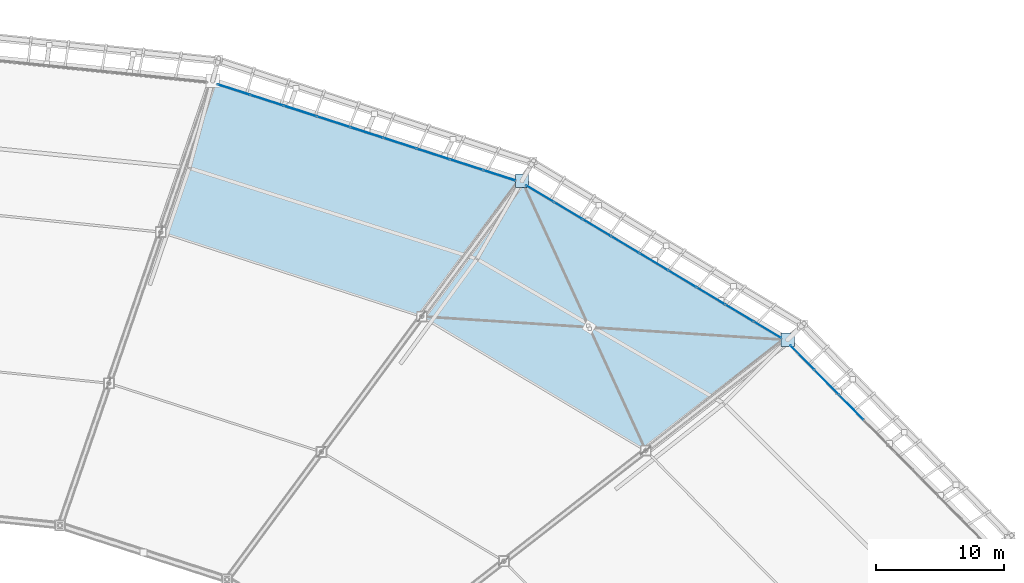
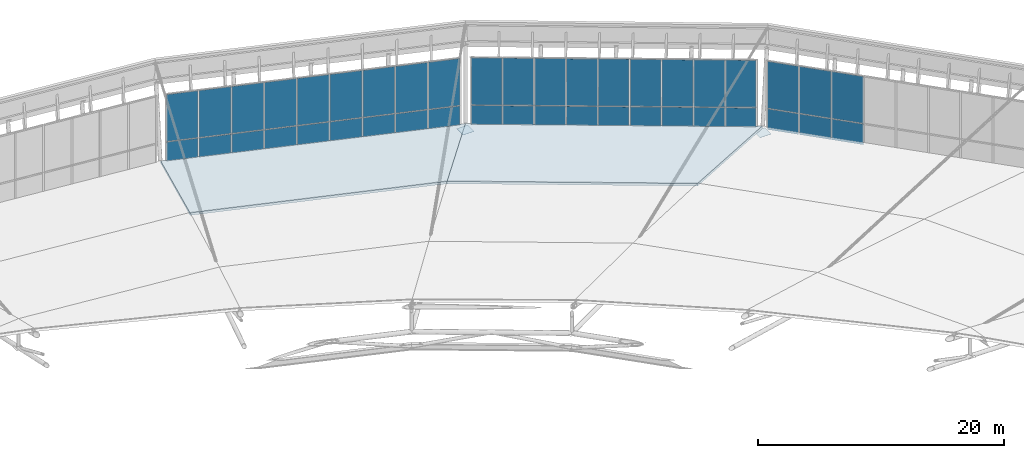
# One storey, part 99 of 115: 44 plates, 2 slabs, 4 elements without a shape of their own.
"""IFC4 building model written with IfcOpenShell, lengths in metres."""

from ifc_helpers import new_model, si_unit, direction, frame, origin, origin_2d, place, context, subcontext, project, spatial, polyline, rectangle, outline, extrude, material, layer, layer_set, type_object, element, aggregate, save


model = new_model("IFC4")

# Units and contexts
model_context = context("Model", 3, precision=1e-05, world=origin(), true_north=direction((0.0, 1.0)))
body_context = subcontext(model_context, "Body", "Model", "MODEL_VIEW")
ifc_project = project(units=[si_unit("LENGTHUNIT", "METRE"), si_unit("AREAUNIT", "SQUARE_METRE"), si_unit("VOLUMEUNIT", "CUBIC_METRE"), si_unit("PLANEANGLEUNIT", "RADIAN"), si_unit("MASSUNIT", "GRAM", prefix="KILO")], contexts=[model_context])

# Site, building, storey
site_placement = place(None, origin())
site = spatial("IfcSite", under=ifc_project, at=site_placement, CompositionType="ELEMENT")
building_placement = place(site_placement, origin())
building = spatial("IfcBuilding", under=site, at=building_placement, Name="Zlatoyarsky Gate Stadium", CompositionType="ELEMENT")
storey_placement = place(building_placement, frame((0.0, 0.0, 31.800048828125)))
storey = spatial("IfcBuildingStorey", under=building, at=storey_placement, Name="RF", CompositionType="ELEMENT", Elevation=31.800048828125)

# Roof, slabs
ifc_material_1 = material(Name="Standing-seam aluminium-zinc roofing with mineral wool insulation", Category="aluminium")
ifc_layer_1 = layer(ifc_material_1, 0.080078125)
ifc_layer_set_1 = layer_set([ifc_layer_1], Name="Standing-seam aluminium-zinc roofing with mineral wool insulation")
roof_type = type_object("IfcRoofType", Name="STADIUM BARREL VAULT ROOF ASSEMBLY", PredefinedType="BARREL_ROOF", material=ifc_layer_set_1)
roof_placement = place(storey_placement, origin())
roof = element("IfcRoof", 1, at=roof_placement, inside=storey, type_object=roof_type, Name="Stadium barrel arch roof sector 2", PredefinedType="BARREL_ROOF")
ifc_material_2 = material(Name="Concrete C40/50", Category="concrete")
ifc_layer_2 = layer(ifc_material_2, 0.199951171875)
ifc_layer_set_2 = layer_set([ifc_layer_2], Name="Concrete C40/50")
slab_type = type_object("IfcSlabType", Name="COMPOSITE STADIUM ROOF DECK SLAB 200", PredefinedType="ROOF", material=ifc_layer_set_2)
slab_1_placement = place(storey_placement, frame((181.730224609375, 135.173828125, 0.199951171875), z_axis=(0.129152879329, 0.215770189277, 0.967865052154), x_axis=(-0.8580340905, 0.51359273704, -4.42967e-07)))
slab_1 = element("IfcSlab", 2, at=slab_1_placement, type_object=slab_type, Name="Stadium arched roof deck sector 03 bay 1", PredefinedType="ROOF", context=body_context, shape_type="SweptSolid", body=[
    extrude(outline(polyline([(0.0, 0.0), (24.1439241753555, 0.0), (25.42773523422691, 13.520147369410285), (5.059922171680651, 13.520068961575207), (0.0, 0.0)])), origin(), (0.0, 0.0, -1.0), 0.199951171875),
])
slab_2_placement = place(storey_placement, frame((161.013916015625, 147.573974609375, 0.199951171875), z_axis=(0.080926633941, 0.25045970369, 0.964738729785), x_axis=(-0.951561589275, 0.307458195234, 8.16732e-07)))
slab_2 = element("IfcSlab", 3, at=slab_2_placement, type_object=slab_type, Name="Stadium arched roof deck sector 04 bay 1", PredefinedType="ROOF", context=body_context, shape_type="SweptSolid", body=[
    extrude(outline(polyline([(0.0, 0.0), (25.352803638085895, 0.0), (25.581554553527695, 12.9170218581198), (4.193966523606391, 12.91716689231748), (0.0, 0.0)])), origin(), (0.0, 0.0, -1.0), 0.199951171875),
])
aggregate(roof, [slab_1, slab_2])

# Plates
ifc_material_3 = material(Name="Steel S355", Category="steel")
ifc_layer_3 = layer(ifc_material_3, 0.02392578125)
ifc_layer_set_3 = layer_set([ifc_layer_3], Name="Steel S355")
plate_type_1 = type_object("IfcPlateType", Name="STEEL COMPRESSION RING NODE CAP SHEET 24", PredefinedType="SHEET", material=ifc_layer_set_3)
for number, where, z_axis, x_axis, name in (
    (4, (181.730224609375, 135.173828125, -0.4619140625), (0.0, 0.0, 1.0), (1.0, 0.0, 0.0), "Node closure plate ND-CR1 NCAP-CR-03"),
    (5, (161.013916015625, 147.573974609375, -0.4619140625), (0.0, 0.0, 1.0), (1.0, 0.0, 0.0), "Node closure plate ND-CR1 NCAP-CR-04"),
):
    element("IfcPlate", number, at=place(storey_placement, frame(where, z_axis=z_axis, x_axis=x_axis)), inside=storey, type_object=plate_type_1, Name=name, PredefinedType="SHEET", context=body_context, shape_type="SweptSolid", body=[
        extrude(rectangle(XDim=1.050048828125, YDim=1.050048828125, at=origin_2d()), origin(), (0.0, 0.0, 1.0), 0.02392578125),
    ])

# Curtain wall, plates
ifc_material_4 = material(Name="Thermally broken anodised aluminium curtain wall", Category="aluminium")
curtain_wall_type = type_object("IfcCurtainWallType", Name="UNITISED SKYBOX RING GLAZING L05", PredefinedType="USERDEFINED", material=ifc_material_4)
curtain_wall_1_placement = place(storey_placement, origin())
curtain_wall_1 = element("IfcCurtainWall", 6, at=curtain_wall_1_placement, inside=storey, type_object=curtain_wall_type, Name="Curtain wall CW-RF-02", ObjectType="UNITISED GLAZING", PredefinedType="USERDEFINED")
ifc_material_5 = material(Name="Triple-glazed argon low-e architectural glass", Category="glass")
ifc_layer_4 = layer(ifc_material_5, 0.0380859375)
ifc_layer_set_4 = layer_set([ifc_layer_4], Name="Triple-glazed argon low-e architectural glass")
plate_type_2 = type_object("IfcPlateType", Name="TRIPLE GLAZED LOW E CURTAIN PANEL 38", PredefinedType="CURTAIN_PANEL", material=ifc_layer_set_4)
plate_1_placement = place(storey_placement, frame((186.697021484375, 129.927001953125, 0.06494140625), z_axis=(0.0, 0.0, 1.0), x_axis=(-0.701401848456, 0.712766053473, 0.0)))
plate_1 = element("IfcPlate", 7, at=plate_1_placement, type_object=plate_type_2, Name="CW-UG5 panel 6.1", PredefinedType="CURTAIN_PANEL", context=body_context, shape_type="SweptSolid", body=[
    extrude(rectangle(XDim=2.6640625, YDim=0.0380859375, at=origin_2d()), origin(), (0.0, 0.0, 1.0), 2.052490234375),
])
plate_2_placement = place(storey_placement, frame((186.697021484375, 129.927001953125, 2.1826171875), z_axis=(0.0, 0.0, 1.0), x_axis=(-0.701401848456, 0.712766053473, 0.0)))
plate_2 = element("IfcPlate", 8, at=plate_2_placement, type_object=plate_type_2, Name="CW-UG5 panel 6.2", PredefinedType="CURTAIN_PANEL", context=body_context, shape_type="SweptSolid", body=[
    extrude(rectangle(XDim=2.6640625, YDim=0.0380859375, at=origin_2d()), origin(), (0.0, 0.0, 1.0), 4.652587890625),
])
plate_3_placement = place(storey_placement, frame((184.782958984375, 131.8720703125, 0.06494140625), z_axis=(0.0, 0.0, 1.0), x_axis=(-0.701401848456, 0.712766053473, 0.0)))
plate_3 = element("IfcPlate", 9, at=plate_3_placement, type_object=plate_type_2, Name="CW-UG5 panel 7.1", PredefinedType="CURTAIN_PANEL", context=body_context, shape_type="SweptSolid", body=[
    extrude(rectangle(XDim=2.6640625, YDim=0.0380859375, at=origin_2d()), origin(), (0.0, 0.0, 1.0), 2.052490234375),
])
plate_4_placement = place(storey_placement, frame((184.782958984375, 131.8720703125, 2.1826171875), z_axis=(0.0, 0.0, 1.0), x_axis=(-0.701401848456, 0.712766053473, 0.0)))
plate_4 = element("IfcPlate", 10, at=plate_4_placement, type_object=plate_type_2, Name="CW-UG5 panel 7.2", PredefinedType="CURTAIN_PANEL", context=body_context, shape_type="SweptSolid", body=[
    extrude(rectangle(XDim=2.6640625, YDim=0.0380859375, at=origin_2d()), origin(), (0.0, 0.0, 1.0), 4.652587890625),
])
plate_5_placement = place(storey_placement, frame((182.880126953125, 133.8056640625, 0.06494140625), z_axis=(0.0, 0.0, 1.0), x_axis=(-0.701401848456, 0.712766053473, 0.0)))
plate_5 = element("IfcPlate", 11, at=plate_5_placement, type_object=plate_type_2, Name="CW-UG5 panel 8.1", PredefinedType="CURTAIN_PANEL", context=body_context, shape_type="SweptSolid", body=[
    extrude(rectangle(XDim=2.63134765625, YDim=0.0380859375, at=origin_2d()), origin(), (0.0, 0.0, 1.0), 2.052490234375),
])
plate_6_placement = place(storey_placement, frame((182.880126953125, 133.8056640625, 2.1826171875), z_axis=(0.0, 0.0, 1.0), x_axis=(-0.701401848456, 0.712766053473, 0.0)))
plate_6 = element("IfcPlate", 12, at=plate_6_placement, type_object=plate_type_2, Name="CW-UG5 panel 8.2", PredefinedType="CURTAIN_PANEL", context=body_context, shape_type="SweptSolid", body=[
    extrude(rectangle(XDim=2.63134765625, YDim=0.0380859375, at=origin_2d()), origin(), (0.0, 0.0, 1.0), 4.652587890625),
])
aggregate(curtain_wall_1, [plate_1, plate_2, plate_3, plate_4, plate_5, plate_6])

curtain_wall_2_placement = place(storey_placement, origin())
curtain_wall_2 = element("IfcCurtainWall", 13, at=curtain_wall_2_placement, inside=storey, type_object=curtain_wall_type, Name="Curtain wall CW-RF-03", ObjectType="UNITISED GLAZING", PredefinedType="USERDEFINED")
plate_7_placement = place(storey_placement, frame((180.162841796875, 135.953369140625, 0.06494140625), z_axis=(0.0, 0.0, 1.0), x_axis=(-0.858127891517, 0.513435995817, 0.0)))
plate_7 = element("IfcPlate", 14, at=plate_7_placement, type_object=plate_type_2, Name="CW-UG5 panel 1.1", PredefinedType="CURTAIN_PANEL", context=body_context, shape_type="SweptSolid", body=[
    extrude(rectangle(XDim=2.4921875, YDim=0.0380859375, at=origin_2d()), origin(), (0.0, 0.0, 1.0), 2.052490234375),
])
plate_8_placement = place(storey_placement, frame((180.162841796875, 135.953369140625, 2.1826171875), z_axis=(0.0, 0.0, 1.0), x_axis=(-0.858127891517, 0.513435995817, 0.0)))
plate_8 = element("IfcPlate", 15, at=plate_8_placement, type_object=plate_type_2, Name="CW-UG5 panel 1.2", PredefinedType="CURTAIN_PANEL", context=body_context, shape_type="SweptSolid", body=[
    extrude(rectangle(XDim=2.4921875, YDim=0.0380859375, at=origin_2d()), origin(), (0.0, 0.0, 1.0), 4.652587890625),
])
plate_9_placement = place(storey_placement, frame((177.954345703125, 137.27490234375, 0.06494140625), z_axis=(0.0, 0.0, 1.0), x_axis=(-0.858127891517, 0.513435995817, 0.0)))
plate_9 = element("IfcPlate", 16, at=plate_9_placement, type_object=plate_type_2, Name="CW-UG5 panel 2.1", PredefinedType="CURTAIN_PANEL", context=body_context, shape_type="SweptSolid", body=[
    extrude(rectangle(XDim=2.524658203125, YDim=0.0380859375, at=origin_2d()), origin(), (0.0, 0.0, 1.0), 2.052490234375),
])
plate_10_placement = place(storey_placement, frame((177.954345703125, 137.27490234375, 2.1826171875), z_axis=(0.0, 0.0, 1.0), x_axis=(-0.858127891517, 0.513435995817, 0.0)))
plate_10 = element("IfcPlate", 17, at=plate_10_placement, type_object=plate_type_2, Name="CW-UG5 panel 2.2", PredefinedType="CURTAIN_PANEL", context=body_context, shape_type="SweptSolid", body=[
    extrude(rectangle(XDim=2.524658203125, YDim=0.0380859375, at=origin_2d()), origin(), (0.0, 0.0, 1.0), 4.652587890625),
])
plate_11_placement = place(storey_placement, frame((175.732177734375, 138.6044921875, 0.06494140625), z_axis=(0.0, 0.0, 1.0), x_axis=(-0.858127891517, 0.513435995817, 0.0)))
plate_11 = element("IfcPlate", 18, at=plate_11_placement, type_object=plate_type_2, Name="CW-UG5 panel 3.1", PredefinedType="CURTAIN_PANEL", context=body_context, shape_type="SweptSolid", body=[
    extrude(rectangle(XDim=2.524658203125, YDim=0.0380859375, at=origin_2d()), origin(), (0.0, 0.0, 1.0), 2.052490234375),
])
plate_12_placement = place(storey_placement, frame((175.732177734375, 138.6044921875, 2.1826171875), z_axis=(0.0, 0.0, 1.0), x_axis=(-0.858127891517, 0.513435995817, 0.0)))
plate_12 = element("IfcPlate", 19, at=plate_12_placement, type_object=plate_type_2, Name="CW-UG5 panel 3.2", PredefinedType="CURTAIN_PANEL", context=body_context, shape_type="SweptSolid", body=[
    extrude(rectangle(XDim=2.524658203125, YDim=0.0380859375, at=origin_2d()), origin(), (0.0, 0.0, 1.0), 4.652587890625),
])
plate_13_placement = place(storey_placement, frame((173.509765625, 139.93408203125, 0.06494140625), z_axis=(0.0, 0.0, 1.0), x_axis=(-0.858127891517, 0.513435995817, 0.0)))
plate_13 = element("IfcPlate", 20, at=plate_13_placement, type_object=plate_type_2, Name="CW-UG5 panel 4.1", PredefinedType="CURTAIN_PANEL", context=body_context, shape_type="SweptSolid", body=[
    extrude(rectangle(XDim=2.524658203125, YDim=0.0380859375, at=origin_2d()), origin(), (0.0, 0.0, 1.0), 2.052490234375),
])
plate_14_placement = place(storey_placement, frame((173.509765625, 139.93408203125, 2.1826171875), z_axis=(0.0, 0.0, 1.0), x_axis=(-0.858127891517, 0.513435995817, 0.0)))
plate_14 = element("IfcPlate", 21, at=plate_14_placement, type_object=plate_type_2, Name="CW-UG5 panel 4.2", PredefinedType="CURTAIN_PANEL", context=body_context, shape_type="SweptSolid", body=[
    extrude(rectangle(XDim=2.524658203125, YDim=0.0380859375, at=origin_2d()), origin(), (0.0, 0.0, 1.0), 4.652587890625),
])
plate_15_placement = place(storey_placement, frame((171.28759765625, 141.263671875, 0.06494140625), z_axis=(0.0, 0.0, 1.0), x_axis=(-0.858127891517, 0.513435995817, 0.0)))
plate_15 = element("IfcPlate", 22, at=plate_15_placement, type_object=plate_type_2, Name="CW-UG5 panel 5.1", PredefinedType="CURTAIN_PANEL", context=body_context, shape_type="SweptSolid", body=[
    extrude(rectangle(XDim=2.524658203125, YDim=0.0380859375, at=origin_2d()), origin(), (0.0, 0.0, 1.0), 2.052490234375),
])
plate_16_placement = place(storey_placement, frame((171.28759765625, 141.263671875, 2.1826171875), z_axis=(0.0, 0.0, 1.0), x_axis=(-0.858127891517, 0.513435995817, 0.0)))
plate_16 = element("IfcPlate", 23, at=plate_16_placement, type_object=plate_type_2, Name="CW-UG5 panel 5.2", PredefinedType="CURTAIN_PANEL", context=body_context, shape_type="SweptSolid", body=[
    extrude(rectangle(XDim=2.524658203125, YDim=0.0380859375, at=origin_2d()), origin(), (0.0, 0.0, 1.0), 4.652587890625),
])
plate_17_placement = place(storey_placement, frame((169.065185546875, 142.593505859375, 0.06494140625), z_axis=(0.0, 0.0, 1.0), x_axis=(-0.858127891517, 0.513435995817, 0.0)))
plate_17 = element("IfcPlate", 24, at=plate_17_placement, type_object=plate_type_2, Name="CW-UG5 panel 6.1", PredefinedType="CURTAIN_PANEL", context=body_context, shape_type="SweptSolid", body=[
    extrude(rectangle(XDim=2.524658203125, YDim=0.0380859375, at=origin_2d()), origin(), (0.0, 0.0, 1.0), 2.052490234375),
])
plate_18_placement = place(storey_placement, frame((169.065185546875, 142.593505859375, 2.1826171875), z_axis=(0.0, 0.0, 1.0), x_axis=(-0.858127891517, 0.513435995817, 0.0)))
plate_18 = element("IfcPlate", 25, at=plate_18_placement, type_object=plate_type_2, Name="CW-UG5 panel 6.2", PredefinedType="CURTAIN_PANEL", context=body_context, shape_type="SweptSolid", body=[
    extrude(rectangle(XDim=2.524658203125, YDim=0.0380859375, at=origin_2d()), origin(), (0.0, 0.0, 1.0), 4.652587890625),
])
plate_19_placement = place(storey_placement, frame((166.8427734375, 143.923095703125, 0.06494140625), z_axis=(0.0, 0.0, 1.0), x_axis=(-0.858127891517, 0.513435995817, 0.0)))
plate_19 = element("IfcPlate", 26, at=plate_19_placement, type_object=plate_type_2, Name="CW-UG5 panel 7.1", PredefinedType="CURTAIN_PANEL", context=body_context, shape_type="SweptSolid", body=[
    extrude(rectangle(XDim=2.524658203125, YDim=0.0380859375, at=origin_2d()), origin(), (0.0, 0.0, 1.0), 2.052490234375),
])
plate_20_placement = place(storey_placement, frame((166.8427734375, 143.923095703125, 2.1826171875), z_axis=(0.0, 0.0, 1.0), x_axis=(-0.858127891517, 0.513435995817, 0.0)))
plate_20 = element("IfcPlate", 27, at=plate_20_placement, type_object=plate_type_2, Name="CW-UG5 panel 7.2", PredefinedType="CURTAIN_PANEL", context=body_context, shape_type="SweptSolid", body=[
    extrude(rectangle(XDim=2.524658203125, YDim=0.0380859375, at=origin_2d()), origin(), (0.0, 0.0, 1.0), 4.652587890625),
])
plate_21_placement = place(storey_placement, frame((164.62060546875, 145.252685546875, 0.06494140625), z_axis=(0.0, 0.0, 1.0), x_axis=(-0.858127891517, 0.513435995817, 0.0)))
plate_21 = element("IfcPlate", 28, at=plate_21_placement, type_object=plate_type_2, Name="CW-UG5 panel 8.1", PredefinedType="CURTAIN_PANEL", context=body_context, shape_type="SweptSolid", body=[
    extrude(rectangle(XDim=2.524658203125, YDim=0.0380859375, at=origin_2d()), origin(), (0.0, 0.0, 1.0), 2.052490234375),
])
plate_22_placement = place(storey_placement, frame((164.62060546875, 145.252685546875, 2.1826171875), z_axis=(0.0, 0.0, 1.0), x_axis=(-0.858127891517, 0.513435995817, 0.0)))
plate_22 = element("IfcPlate", 29, at=plate_22_placement, type_object=plate_type_2, Name="CW-UG5 panel 8.2", PredefinedType="CURTAIN_PANEL", context=body_context, shape_type="SweptSolid", body=[
    extrude(rectangle(XDim=2.524658203125, YDim=0.0380859375, at=origin_2d()), origin(), (0.0, 0.0, 1.0), 4.652587890625),
])
plate_23_placement = place(storey_placement, frame((162.412109375, 146.573974609375, 0.06494140625), z_axis=(0.0, 0.0, 1.0), x_axis=(-0.858127891517, 0.513435995817, 0.0)))
plate_23 = element("IfcPlate", 30, at=plate_23_placement, type_object=plate_type_2, Name="CW-UG5 panel 9.1", PredefinedType="CURTAIN_PANEL", context=body_context, shape_type="SweptSolid", body=[
    extrude(rectangle(XDim=2.4921875, YDim=0.0380859375, at=origin_2d()), origin(), (0.0, 0.0, 1.0), 2.052490234375),
])
plate_24_placement = place(storey_placement, frame((162.412109375, 146.573974609375, 2.1826171875), z_axis=(0.0, 0.0, 1.0), x_axis=(-0.858127891517, 0.513435995817, 0.0)))
plate_24 = element("IfcPlate", 31, at=plate_24_placement, type_object=plate_type_2, Name="CW-UG5 panel 9.2", PredefinedType="CURTAIN_PANEL", context=body_context, shape_type="SweptSolid", body=[
    extrude(rectangle(XDim=2.4921875, YDim=0.0380859375, at=origin_2d()), origin(), (0.0, 0.0, 1.0), 4.652587890625),
])
aggregate(curtain_wall_2, [plate_7, plate_8, plate_9, plate_10, plate_11, plate_12, plate_13, plate_14, plate_15, plate_16, plate_17, plate_18, plate_19, plate_20, plate_21, plate_22, plate_23, plate_24])

curtain_wall_3_placement = place(storey_placement, origin())
curtain_wall_3 = element("IfcCurtainWall", 32, at=curtain_wall_3_placement, inside=storey, type_object=curtain_wall_type, Name="Curtain wall CW-RF-04", ObjectType="UNITISED GLAZING", PredefinedType="USERDEFINED")
plate_25_placement = place(storey_placement, frame((159.251708984375, 147.9990234375, 0.06494140625), z_axis=(0.0, 0.0, 1.0), x_axis=(-0.951595836439, 0.307352182475, 0.0)))
plate_25 = element("IfcPlate", 33, at=plate_25_placement, type_object=plate_type_2, Name="CW-UG5 panel 1.1", PredefinedType="CURTAIN_PANEL", context=body_context, shape_type="SweptSolid", body=[
    extrude(rectangle(XDim=2.62646484375, YDim=0.0380859375, at=origin_2d()), origin(), (0.0, 0.0, 1.0), 2.052490234375),
])
plate_26_placement = place(storey_placement, frame((159.251708984375, 147.9990234375, 2.1826171875), z_axis=(0.0, 0.0, 1.0), x_axis=(-0.951595836439, 0.307352182475, 0.0)))
plate_26 = element("IfcPlate", 34, at=plate_26_placement, type_object=plate_type_2, Name="CW-UG5 panel 1.2", PredefinedType="CURTAIN_PANEL", context=body_context, shape_type="SweptSolid", body=[
    extrude(rectangle(XDim=2.62646484375, YDim=0.0380859375, at=origin_2d()), origin(), (0.0, 0.0, 1.0), 4.652587890625),
])
plate_27_placement = place(storey_placement, frame((156.6748046875, 148.831298828125, 0.06494140625), z_axis=(0.0, 0.0, 1.0), x_axis=(-0.951595836439, 0.307352182475, 0.0)))
plate_27 = element("IfcPlate", 35, at=plate_27_placement, type_object=plate_type_2, Name="CW-UG5 panel 2.1", PredefinedType="CURTAIN_PANEL", context=body_context, shape_type="SweptSolid", body=[
    extrude(rectangle(XDim=2.658935546875, YDim=0.0380859375, at=origin_2d()), origin(), (0.0, 0.0, 1.0), 2.052490234375),
])
plate_28_placement = place(storey_placement, frame((156.6748046875, 148.831298828125, 2.1826171875), z_axis=(0.0, 0.0, 1.0), x_axis=(-0.951595836439, 0.307352182475, 0.0)))
plate_28 = element("IfcPlate", 36, at=plate_28_placement, type_object=plate_type_2, Name="CW-UG5 panel 2.2", PredefinedType="CURTAIN_PANEL", context=body_context, shape_type="SweptSolid", body=[
    extrude(rectangle(XDim=2.658935546875, YDim=0.0380859375, at=origin_2d()), origin(), (0.0, 0.0, 1.0), 4.652587890625),
])
plate_29_placement = place(storey_placement, frame((154.082763671875, 149.668701171875, 0.06494140625), z_axis=(0.0, 0.0, 1.0), x_axis=(-0.951595836439, 0.307352182475, 0.0)))
plate_29 = element("IfcPlate", 37, at=plate_29_placement, type_object=plate_type_2, Name="CW-UG5 panel 3.1", PredefinedType="CURTAIN_PANEL", context=body_context, shape_type="SweptSolid", body=[
    extrude(rectangle(XDim=2.658935546875, YDim=0.0380859375, at=origin_2d()), origin(), (0.0, 0.0, 1.0), 2.052490234375),
])
plate_30_placement = place(storey_placement, frame((154.082763671875, 149.668701171875, 2.1826171875), z_axis=(0.0, 0.0, 1.0), x_axis=(-0.951595836439, 0.307352182475, 0.0)))
plate_30 = element("IfcPlate", 38, at=plate_30_placement, type_object=plate_type_2, Name="CW-UG5 panel 3.2", PredefinedType="CURTAIN_PANEL", context=body_context, shape_type="SweptSolid", body=[
    extrude(rectangle(XDim=2.658935546875, YDim=0.0380859375, at=origin_2d()), origin(), (0.0, 0.0, 1.0), 4.652587890625),
])
plate_31_placement = place(storey_placement, frame((151.490478515625, 150.505859375, 0.06494140625), z_axis=(0.0, 0.0, 1.0), x_axis=(-0.951595836439, 0.307352182475, 0.0)))
plate_31 = element("IfcPlate", 39, at=plate_31_placement, type_object=plate_type_2, Name="CW-UG5 panel 4.1", PredefinedType="CURTAIN_PANEL", context=body_context, shape_type="SweptSolid", body=[
    extrude(rectangle(XDim=2.658935546875, YDim=0.0380859375, at=origin_2d()), origin(), (0.0, 0.0, 1.0), 2.052490234375),
])
plate_32_placement = place(storey_placement, frame((151.490478515625, 150.505859375, 2.1826171875), z_axis=(0.0, 0.0, 1.0), x_axis=(-0.951595836439, 0.307352182475, 0.0)))
plate_32 = element("IfcPlate", 40, at=plate_32_placement, type_object=plate_type_2, Name="CW-UG5 panel 4.2", PredefinedType="CURTAIN_PANEL", context=body_context, shape_type="SweptSolid", body=[
    extrude(rectangle(XDim=2.658935546875, YDim=0.0380859375, at=origin_2d()), origin(), (0.0, 0.0, 1.0), 4.652587890625),
])
plate_33_placement = place(storey_placement, frame((148.898193359375, 151.343017578125, 0.06494140625), z_axis=(0.0, 0.0, 1.0), x_axis=(-0.951595836439, 0.307352182475, 0.0)))
plate_33 = element("IfcPlate", 41, at=plate_33_placement, type_object=plate_type_2, Name="CW-UG5 panel 5.1", PredefinedType="CURTAIN_PANEL", context=body_context, shape_type="SweptSolid", body=[
    extrude(rectangle(XDim=2.658935546875, YDim=0.0380859375, at=origin_2d()), origin(), (0.0, 0.0, 1.0), 2.052490234375),
])
plate_34_placement = place(storey_placement, frame((148.898193359375, 151.343017578125, 2.1826171875), z_axis=(0.0, 0.0, 1.0), x_axis=(-0.951595836439, 0.307352182475, 0.0)))
plate_34 = element("IfcPlate", 42, at=plate_34_placement, type_object=plate_type_2, Name="CW-UG5 panel 5.2", PredefinedType="CURTAIN_PANEL", context=body_context, shape_type="SweptSolid", body=[
    extrude(rectangle(XDim=2.658935546875, YDim=0.0380859375, at=origin_2d()), origin(), (0.0, 0.0, 1.0), 4.652587890625),
])
plate_35_placement = place(storey_placement, frame((146.30615234375, 152.180419921875, 0.06494140625), z_axis=(0.0, 0.0, 1.0), x_axis=(-0.951595836439, 0.307352182475, 0.0)))
plate_35 = element("IfcPlate", 43, at=plate_35_placement, type_object=plate_type_2, Name="CW-UG5 panel 6.1", PredefinedType="CURTAIN_PANEL", context=body_context, shape_type="SweptSolid", body=[
    extrude(rectangle(XDim=2.658935546875, YDim=0.0380859375, at=origin_2d()), origin(), (0.0, 0.0, 1.0), 2.052490234375),
])
plate_36_placement = place(storey_placement, frame((146.30615234375, 152.180419921875, 2.1826171875), z_axis=(0.0, 0.0, 1.0), x_axis=(-0.951595836439, 0.307352182475, 0.0)))
plate_36 = element("IfcPlate", 44, at=plate_36_placement, type_object=plate_type_2, Name="CW-UG5 panel 6.2", PredefinedType="CURTAIN_PANEL", context=body_context, shape_type="SweptSolid", body=[
    extrude(rectangle(XDim=2.658935546875, YDim=0.0380859375, at=origin_2d()), origin(), (0.0, 0.0, 1.0), 4.652587890625),
])
plate_37_placement = place(storey_placement, frame((143.7138671875, 153.017578125, 0.06494140625), z_axis=(0.0, 0.0, 1.0), x_axis=(-0.951595836439, 0.307352182475, 0.0)))
plate_37 = element("IfcPlate", 45, at=plate_37_placement, type_object=plate_type_2, Name="CW-UG5 panel 7.1", PredefinedType="CURTAIN_PANEL", context=body_context, shape_type="SweptSolid", body=[
    extrude(rectangle(XDim=2.658935546875, YDim=0.0380859375, at=origin_2d()), origin(), (0.0, 0.0, 1.0), 2.052490234375),
])
plate_38_placement = place(storey_placement, frame((143.7138671875, 153.017578125, 2.1826171875), z_axis=(0.0, 0.0, 1.0), x_axis=(-0.951595836439, 0.307352182475, 0.0)))
plate_38 = element("IfcPlate", 46, at=plate_38_placement, type_object=plate_type_2, Name="CW-UG5 panel 7.2", PredefinedType="CURTAIN_PANEL", context=body_context, shape_type="SweptSolid", body=[
    extrude(rectangle(XDim=2.658935546875, YDim=0.0380859375, at=origin_2d()), origin(), (0.0, 0.0, 1.0), 4.652587890625),
])
plate_39_placement = place(storey_placement, frame((141.12158203125, 153.854736328125, 0.06494140625), z_axis=(0.0, 0.0, 1.0), x_axis=(-0.951595836439, 0.307352182475, 0.0)))
plate_39 = element("IfcPlate", 47, at=plate_39_placement, type_object=plate_type_2, Name="CW-UG5 panel 8.1", PredefinedType="CURTAIN_PANEL", context=body_context, shape_type="SweptSolid", body=[
    extrude(rectangle(XDim=2.658935546875, YDim=0.0380859375, at=origin_2d()), origin(), (0.0, 0.0, 1.0), 2.052490234375),
])
plate_40_placement = place(storey_placement, frame((141.12158203125, 153.854736328125, 2.1826171875), z_axis=(0.0, 0.0, 1.0), x_axis=(-0.951595836439, 0.307352182475, 0.0)))
plate_40 = element("IfcPlate", 48, at=plate_40_placement, type_object=plate_type_2, Name="CW-UG5 panel 8.2", PredefinedType="CURTAIN_PANEL", context=body_context, shape_type="SweptSolid", body=[
    extrude(rectangle(XDim=2.658935546875, YDim=0.0380859375, at=origin_2d()), origin(), (0.0, 0.0, 1.0), 4.652587890625),
])
plate_41_placement = place(storey_placement, frame((138.544921875, 154.68701171875, 0.06494140625), z_axis=(0.0, 0.0, 1.0), x_axis=(-0.951595836439, 0.307352182475, 0.0)))
plate_41 = element("IfcPlate", 49, at=plate_41_placement, type_object=plate_type_2, Name="CW-UG5 panel 9.1", PredefinedType="CURTAIN_PANEL", context=body_context, shape_type="SweptSolid", body=[
    extrude(rectangle(XDim=2.62646484375, YDim=0.0380859375, at=origin_2d()), origin(), (0.0, 0.0, 1.0), 2.052490234375),
])
plate_42_placement = place(storey_placement, frame((138.544921875, 154.68701171875, 2.1826171875), z_axis=(0.0, 0.0, 1.0), x_axis=(-0.951595836439, 0.307352182475, 0.0)))
plate_42 = element("IfcPlate", 50, at=plate_42_placement, type_object=plate_type_2, Name="CW-UG5 panel 9.2", PredefinedType="CURTAIN_PANEL", context=body_context, shape_type="SweptSolid", body=[
    extrude(rectangle(XDim=2.62646484375, YDim=0.0380859375, at=origin_2d()), origin(), (0.0, 0.0, 1.0), 4.652587890625),
])
aggregate(curtain_wall_3, [plate_25, plate_26, plate_27, plate_28, plate_29, plate_30, plate_31, plate_32, plate_33, plate_34, plate_35, plate_36, plate_37, plate_38, plate_39, plate_40, plate_41, plate_42])

save(model, "model.ifc")
